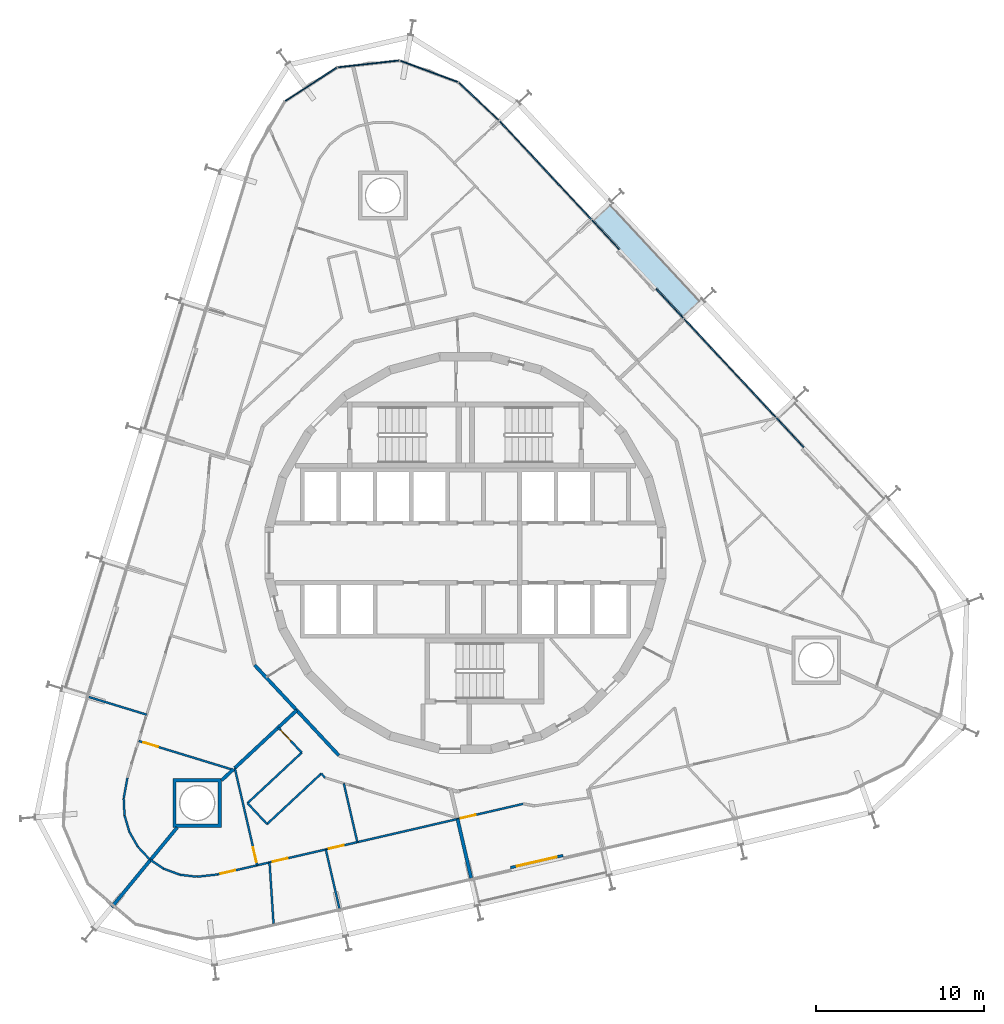
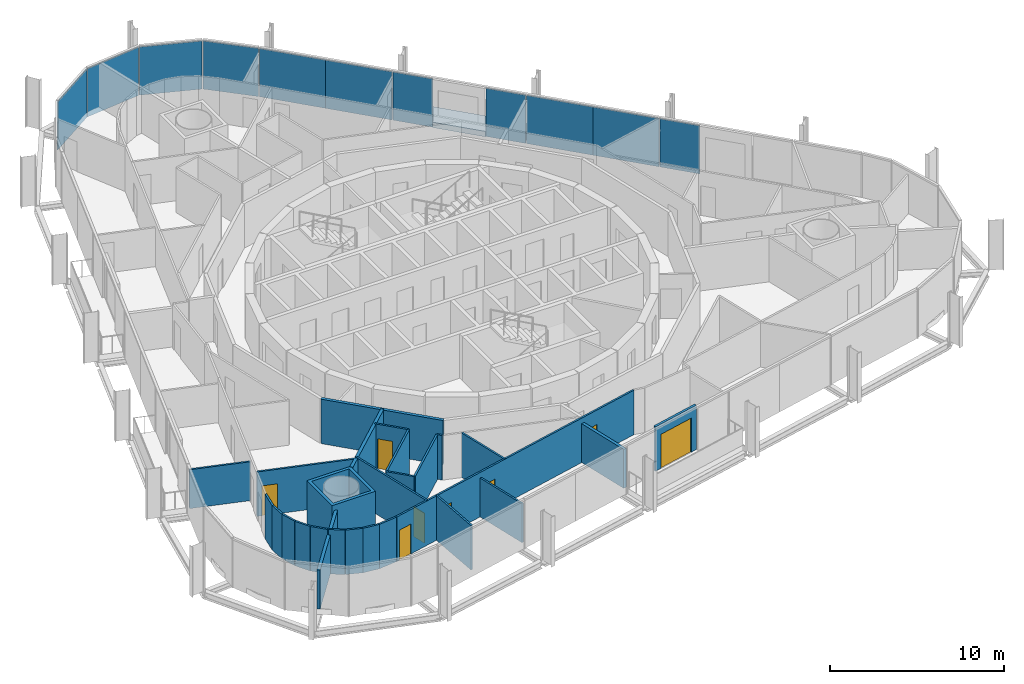
# One storey, part 11 of 18: 28 walls, 11 plates, 8 doors, 1 slab, 8 openings, 2 elements without a shape of their own.
"""IFC4 building model written with IfcOpenShell, lengths in metres."""

from ifc_helpers import new_model, si_unit, direction, frame, frame_2d, origin, origin_2d, place, context, subcontext, project, spatial, polyline, rectangle, outline, extrude, material, layer, layer_set, type_object, element, fill, aggregate, save


model = new_model("IFC4")

# Units and contexts
model_context = context("Model", 3, precision=1e-05, world=origin(), true_north=direction((0.0, 1.0)))
body_context = subcontext(model_context, "Body", "Model", "MODEL_VIEW")
ifc_project = project(units=[si_unit("LENGTHUNIT", "METRE"), si_unit("AREAUNIT", "SQUARE_METRE"), si_unit("VOLUMEUNIT", "CUBIC_METRE"), si_unit("PLANEANGLEUNIT", "RADIAN"), si_unit("MASSUNIT", "GRAM", prefix="KILO")], contexts=[model_context])

# Site, building, storey
site_placement = place(None, origin())
site = spatial("IfcSite", under=ifc_project, at=site_placement, CompositionType="ELEMENT")
building_placement = place(site_placement, origin())
building = spatial("IfcBuilding", under=site, at=building_placement, Name="Spindle Arch Residences", CompositionType="ELEMENT")
storey_placement = place(building_placement, frame((0.0, 0.0, 116.89990234375)))
storey = spatial("IfcBuildingStorey", under=building, at=storey_placement, Name="L28", CompositionType="ELEMENT", Elevation=116.89990234375)

# Slab
ifc_material_1 = material(Name="Concrete C40/50", Category="concrete")
ifc_layer_1 = layer(ifc_material_1, 0.3798828125)
ifc_layer_set_1 = layer_set([ifc_layer_1], Name="Balcony slab 380")
slab_type = type_object("IfcSlabType", Name="Balcony slab 380", PredefinedType="FLOOR", material=ifc_layer_set_1)
slab_placement = place(storey_placement, frame((0.0, 0.0, -0.3798828125)))
element("IfcSlab", 1, at=slab_placement, inside=storey, type_object=slab_type, Name="Balcony L28 bay 8", PredefinedType="FLOOR", context=body_context, shape_type="SweptSolid", body=[
    extrude(outline(polyline([(14.058837890625, 15.04248046875), (14.0078125, 15.09716796875), (13.89794921875, 14.994873046875), (8.626708984375, 20.647705078125), (8.736328125, 20.75), (8.685302734375, 20.804931640625), (7.595458984375, 19.78857421875), (9.191162109375, 18.07763671875), (9.07421875, 17.968505859375), (11.256591796875, 15.628173828125), (11.37353515625, 15.7373046875), (12.96923828125, 14.026123046875), (14.058837890625, 15.04248046875)])), origin(), (0.0, 0.0, 1.0), 0.3798828125),
])

# Curtain wall, plates
ifc_material_2 = material(Name="Aluminium bronze unitised frame with tinted glass", Category="aluminium")
ifc_layer_2 = layer(ifc_material_2, 0.159912109375)
ifc_layer_set_2 = layer_set([ifc_layer_2], Name="CW-C typical residential unitised wall")
curtain_wall_type_1 = type_object("IfcCurtainWallType", Name="CW-C typical residential unitised wall", PredefinedType="NOTDEFINED", material=ifc_layer_set_2)
curtain_wall_1_placement = place(storey_placement, origin())
curtain_wall_1 = element("IfcCurtainWall", 2, at=curtain_wall_1_placement, inside=storey, type_object=curtain_wall_type_1, Name="CW-C L28 run 2", PredefinedType="NOTDEFINED")
ifc_material_3 = material(Name="Tinted double glazing over non-combustible spandrel zone with 0.55 mm stainless steel cavity fire stop (K0)", Category="steel")
ifc_layer_3 = layer(ifc_material_3, 0.070068359375)
ifc_layer_set_3 = layer_set([ifc_layer_3], Name="Unitised glass panel with spandrel zone and stainless cavity fire stop")
plate_type = type_object("IfcPlateType", Name="Unitised glass panel with spandrel zone and stainless cavity fire stop", PredefinedType="CURTAIN_PANEL", material=ifc_layer_set_3)
plate_1_placement = place(storey_placement, frame((19.271240234375, 7.150634765625, -0.3798828125), z_axis=(0.0, 0.0, 1.0), x_axis=(-0.681998360062, 0.731353701619, 0.0)))
plate_1 = element("IfcPlate", 3, at=plate_1_placement, type_object=plate_type, Name="CW-C unit 05R", PredefinedType="CURTAIN_PANEL", context=body_context, shape_type="SweptSolid", body=[
    extrude(rectangle(XDim=2.384521484375, YDim=0.070068359375, at=origin_2d()), origin(), (0.0, 0.0, 1.0), 3.3798828125),
])
plate_2_placement = place(storey_placement, frame((17.05859375, 9.523681640625, -0.3798828125), z_axis=(0.0, 0.0, 1.0), x_axis=(-0.681998360062, 0.731353701619, 0.0)))
plate_2 = element("IfcPlate", 4, at=plate_2_placement, type_object=plate_type, Name="CW-C unit 06A", PredefinedType="CURTAIN_PANEL", context=body_context, shape_type="SweptSolid", body=[
    extrude(rectangle(XDim=3.984619140625, YDim=0.070068359375, at=origin_2d()), origin(), (0.0, 0.0, 1.0), 3.3798828125),
])
plate_3_placement = place(storey_placement, frame((14.341064453125, 12.437744140625, -0.3798828125), z_axis=(0.0, 0.0, 1.0), x_axis=(-0.681998360062, 0.731353701619, 0.0)))
plate_3 = element("IfcPlate", 5, at=plate_3_placement, type_object=plate_type, Name="CW-C unit 06B", PredefinedType="CURTAIN_PANEL", context=body_context, shape_type="SweptSolid", body=[
    extrude(rectangle(XDim=3.984619140625, YDim=0.070068359375, at=origin_2d()), origin(), (0.0, 0.0, 1.0), 3.3798828125),
])
plate_4_placement = place(storey_placement, frame((12.128173828125, 14.810791015625, -0.3798828125), z_axis=(0.0, 0.0, 1.0), x_axis=(-0.681998360062, 0.731353701619, 0.0)))
plate_4 = element("IfcPlate", 6, at=plate_4_placement, type_object=plate_type, Name="CW-C unit 07L", PredefinedType="CURTAIN_PANEL", context=body_context, shape_type="SweptSolid", body=[
    extrude(rectangle(XDim=2.384521484375, YDim=0.070068359375, at=origin_2d()), origin(), (0.0, 0.0, 1.0), 3.3798828125),
])
plate_5_placement = place(storey_placement, frame((8.319580078125, 18.89501953125, -0.3798828125), z_axis=(0.0, 0.0, 1.0), x_axis=(-0.681998360062, 0.731353701619, 0.0)))
plate_5 = element("IfcPlate", 7, at=plate_5_placement, type_object=plate_type, Name="CW-C unit 07R", PredefinedType="CURTAIN_PANEL", context=body_context, shape_type="SweptSolid", body=[
    extrude(rectangle(XDim=2.384521484375, YDim=0.070068359375, at=origin_2d()), origin(), (0.0, 0.0, 1.0), 3.3798828125),
])
plate_6_placement = place(storey_placement, frame((6.106689453125, 21.26806640625, -0.3798828125), z_axis=(0.0, 0.0, 1.0), x_axis=(-0.681998360062, 0.731353701619, 0.0)))
plate_6 = element("IfcPlate", 8, at=plate_6_placement, type_object=plate_type, Name="CW-C unit 08A", PredefinedType="CURTAIN_PANEL", context=body_context, shape_type="SweptSolid", body=[
    extrude(rectangle(XDim=3.984619140625, YDim=0.070068359375, at=origin_2d()), origin(), (0.0, 0.0, 1.0), 3.3798828125),
])
plate_7_placement = place(storey_placement, frame((3.38916015625, 24.18212890625, -0.3798828125), z_axis=(0.0, 0.0, 1.0), x_axis=(-0.681998360062, 0.731353701619, 0.0)))
plate_7 = element("IfcPlate", 9, at=plate_7_placement, type_object=plate_type, Name="CW-C unit 08B", PredefinedType="CURTAIN_PANEL", context=body_context, shape_type="SweptSolid", body=[
    extrude(rectangle(XDim=3.984619140625, YDim=0.070068359375, at=origin_2d()), origin(), (0.0, 0.0, 1.0), 3.3798828125),
])
aggregate(curtain_wall_1, [plate_1, plate_2, plate_3, plate_4, plate_5, plate_6, plate_7])

ifc_material_4 = material(Name="Aluminium bronze unitised frame with tinted glass", Category="aluminium")
ifc_layer_4 = layer(ifc_material_4, 0.159912109375)
ifc_layer_set_4 = layer_set([ifc_layer_4], Name="CW-D corner wall on the fillet arcs")
curtain_wall_type_2 = type_object("IfcCurtainWallType", Name="CW-D corner wall on the fillet arcs", PredefinedType="NOTDEFINED", material=ifc_layer_set_4)
curtain_wall_2_placement = place(storey_placement, origin())
curtain_wall_2 = element("IfcCurtainWall", 10, at=curtain_wall_2_placement, inside=storey, type_object=curtain_wall_type_2, Name="CW-D L28 run 3", PredefinedType="NOTDEFINED")
plate_8_placement = place(storey_placement, frame((0.794677734375, 26.8046875, -0.3798828125), z_axis=(0.0, 0.0, 1.0), x_axis=(-0.728270412102, 0.685289870681, 0.0)))
plate_8 = element("IfcPlate", 11, at=plate_8_placement, type_object=plate_type, Name="CW-D unit 00", PredefinedType="CURTAIN_PANEL", context=body_context, shape_type="SweptSolid", body=[
    extrude(rectangle(XDim=3.277587890625, YDim=0.070068359375, at=origin_2d()), origin(), (0.0, 0.0, 1.0), 3.3798828125),
])
plate_9_placement = place(storey_placement, frame((-2.16796875, 28.595703125, -0.3798828125), z_axis=(0.0, 0.0, 1.0), x_axis=(-0.937686936403, 0.347481235896, 0.0)))
plate_9 = element("IfcPlate", 12, at=plate_9_placement, type_object=plate_type, Name="CW-D unit 01", PredefinedType="CURTAIN_PANEL", context=body_context, shape_type="SweptSolid", body=[
    extrude(rectangle(XDim=3.666748046875, YDim=0.070068359375, at=origin_2d()), origin(), (0.0, 0.0, 1.0), 3.3798828125),
])
plate_10_placement = place(storey_placement, frame((-5.76708984375, 29.037841796875, -0.3798828125), z_axis=(0.0, 0.0, 1.0), x_axis=(-0.993896946294, -0.110312556619, 0.0)))
plate_10 = element("IfcPlate", 13, at=plate_10_placement, type_object=plate_type, Name="CW-D unit 02", PredefinedType="CURTAIN_PANEL", context=body_context, shape_type="SweptSolid", body=[
    extrude(rectangle(XDim=3.666748046875, YDim=0.070068359375, at=origin_2d()), origin(), (0.0, 0.0, 1.0), 3.3798828125),
])
plate_11_placement = place(storey_placement, frame((-9.181884765625, 27.8173828125, -0.3798828125), z_axis=(0.0, 0.0, 1.0), x_axis=(-0.838670567755, -0.544639035308, 0.0)))
plate_11 = element("IfcPlate", 14, at=plate_11_placement, type_object=plate_type, Name="CW-D unit 03", PredefinedType="CURTAIN_PANEL", context=body_context, shape_type="SweptSolid", body=[
    extrude(rectangle(XDim=3.666748046875, YDim=0.070068359375, at=origin_2d()), origin(), (0.0, 0.0, 1.0), 3.3798828125),
])
aggregate(curtain_wall_2, [plate_8, plate_9, plate_10, plate_11])

# Wall
ifc_material_5 = material(Name="Calcium silicate block, plastered")
ifc_layer_5 = layer(ifc_material_5, 0.199951171875)
ifc_layer_set_5 = layer_set([ifc_layer_5], Name="Corridor wall 200")
wall_type_1 = type_object("IfcWallType", Name="Corridor wall 200", PredefinedType="STANDARD", material=ifc_layer_set_5)
wall_1_placement = place(storey_placement, frame((-12.523193359375, -6.65869140625, 0.0), z_axis=(0.0, 0.0, 1.0), x_axis=(0.682001841105, -0.731350455479, 0.0)))
element("IfcWall", 15, at=wall_1_placement, inside=storey, type_object=wall_type_1, Name="Corridor wall R3A1-W012", PredefinedType="STANDARD", context=body_context, shape_type="SweptSolid", body=[
    extrude(rectangle(XDim=7.341796875, YDim=0.199951171875, at=frame_2d((3.6708984375, 0.0))), origin(), (0.0, 0.0, 1.0), 3.1201171875),
])

# Wall, opening, door
ifc_material_6 = material(Name="Plasterboard on steel studs", Category="steel")
ifc_layer_6 = layer(ifc_material_6, 0.1201171875)
ifc_layer_set_6 = layer_set([ifc_layer_6], Name="Flat partition 120")
wall_type_2 = type_object("IfcWallType", Name="Flat partition 120", PredefinedType="PARTITIONING", material=ifc_layer_set_6)
wall_2_placement = place(storey_placement, frame((-19.403564453125, -11.1669921875, 0.0), z_axis=(0.0, 0.0, 1.0), x_axis=(0.956314306829, -0.292340463423, 0.0)))
wall_2 = element("IfcWall", 16, at=wall_2_placement, inside=storey, type_object=wall_type_2, Name="Flat partition R3A1-W079", PredefinedType="PARTITIONING", context=body_context, shape_type="SweptSolid", body=[
    extrude(rectangle(XDim=5.85009765625, YDim=0.1201171875, at=frame_2d((2.925048828125, 0.0))), origin(), (0.0, 0.0, 1.0), 3.1201171875),
])
opening_1_placement = place(wall_2_placement, frame((0.300048828125, 0.0, 0.0)))
opening_1 = element("IfcOpeningElement", 17, at=opening_1_placement, cuts=wall_2, Name="Opening R3A1-ID20", PredefinedType="OPENING", context=body_context, shape_type="SweptSolid", body=[
    extrude(rectangle(XDim=0.89990234375, YDim=2.10009765625, at=frame_2d((0.449951171875, 1.050048828125))), frame((0.0, 0.070068359375, 0.0), z_axis=(0.0, -1.0, 0.0), x_axis=(1.0, 0.0, 0.0)), (0.0, 0.0, 1.0), 0.14013671875),
])
ifc_material_7 = material(Name="Timber door set", Category="wood")
door_type_1 = type_object("IfcDoorType", Name="Room door 900x2100", OperationType="NOTDEFINED", PredefinedType="DOOR", material=ifc_material_7)
door_1_placement = place(opening_1_placement, origin())
door_1 = element("IfcDoor", 18, at=door_1_placement, inside=storey, type_object=door_type_1, Name="Room door R3A1-ID20", OperationType="SINGLE_SWING_RIGHT", OverallHeight=2.10009765625, OverallWidth=0.89990234375, PredefinedType="DOOR", context=body_context, shape_type="SweptSolid", body=[
    extrude(rectangle(XDim=0.89990234375, YDim=2.10009765625, at=frame_2d((0.449951171875, 1.050048828125))), frame((0.0, 0.02490234375, 0.0), z_axis=(0.0, -1.0, 0.0), x_axis=(1.0, 0.0, 0.0)), (0.0, 0.0, 1.0), 0.050048828125),
])
fill(opening_1, door_1)

# Walls
for number, where, z_axis, x_axis, name in (
    (19, (-18.76220703125, -18.1904296875, 0.0), (0.0, 0.0, 1.0), (-0.682044196941, 0.731310955353, 0.0), "Flat partition R3A1-W083"),
    (20, (-19.455078125, -17.447509765625, 0.0), (0.0, 0.0, 1.0), (-0.494818454809, 0.868996373284, 0.0), "Flat partition R3A1-W084"),
    (21, (-19.957763671875, -16.564697265625, 0.0), (0.0, 0.0, 1.0), (-0.281411609627, 0.959587153919, 0.0), "Flat partition R3A1-W085"),
):
    element("IfcWall", number, at=place(storey_placement, frame(where, z_axis=z_axis, x_axis=x_axis)), inside=storey, type_object=wall_type_2, Name=name, PredefinedType="PARTITIONING", context=body_context, shape_type="SweptSolid", body=[
        extrude(rectangle(XDim=1.015869140625, YDim=0.1201171875, at=frame_2d((0.5078125, 0.0))), origin(), (0.0, 0.0, 1.0), 3.1201171875),
    ])
wall_3_placement = place(storey_placement, frame((-20.24365234375, -15.58984375, 0.0), z_axis=(0.0, 0.0, 1.0), x_axis=(-0.052142637988, 0.998639647372, 0.0)))
element("IfcWall", 22, at=wall_3_placement, inside=storey, type_object=wall_type_2, Name="Flat partition R3A1-W086", PredefinedType="PARTITIONING", context=body_context, shape_type="SweptSolid", body=[
    extrude(rectangle(XDim=1.01611328125, YDim=0.1201171875, at=frame_2d((0.508056640625, 0.0))), origin(), (0.0, 0.0, 1.0), 3.1201171875),
])
wall_4_placement = place(storey_placement, frame((-20.296630859375, -14.5751953125, 0.0), z_axis=(0.0, 0.0, 1.0), x_axis=(0.179288174895, 0.983796600087, 0.0)))
element("IfcWall", 23, at=wall_4_placement, inside=storey, type_object=wall_type_2, Name="Flat partition R3A1-W087", PredefinedType="PARTITIONING", context=body_context, shape_type="SweptSolid", body=[
    extrude(rectangle(XDim=1.226806640625, YDim=0.1201171875, at=frame_2d((0.61328125, 0.0))), origin(), (0.0, 0.0, 1.0), 3.1201171875),
])

# Wall, opening, door
wall_5_placement = place(storey_placement, frame((-11.11669921875, -10.366455078125, 0.0), z_axis=(0.0, 0.0, 1.0), x_axis=(0.682041233274, -0.731313719353, 0.0)))
wall_5 = element("IfcWall", 24, at=wall_5_placement, inside=storey, type_object=wall_type_2, Name="Flat partition R3A1-W088", PredefinedType="PARTITIONING", context=body_context, shape_type="SweptSolid", body=[
    extrude(rectangle(XDim=2.04150390625, YDim=0.1201171875, at=frame_2d((1.020751953125, 0.0))), origin(), (0.0, 0.0, 1.0), 3.1201171875),
])
opening_2_placement = place(wall_5_placement, frame((0.199951171875, 0.0, 0.0)))
opening_2 = element("IfcOpeningElement", 25, at=opening_2_placement, cuts=wall_5, Name="Opening R3A1-ID22", PredefinedType="OPENING", context=body_context, shape_type="SweptSolid", body=[
    extrude(rectangle(XDim=0.89990234375, YDim=2.10009765625, at=frame_2d((0.449951171875, 1.050048828125))), frame((0.0, 0.070068359375, 0.0), z_axis=(0.0, -1.0, 0.0), x_axis=(1.0, 0.0, 0.0)), (0.0, 0.0, 1.0), 0.14013671875),
])
door_2_placement = place(opening_2_placement, origin())
door_2 = element("IfcDoor", 26, at=door_2_placement, inside=storey, type_object=door_type_1, Name="Room door R3A1-ID22", OperationType="SINGLE_SWING_LEFT", OverallHeight=2.10009765625, OverallWidth=0.89990234375, PredefinedType="DOOR", context=body_context, shape_type="SweptSolid", body=[
    extrude(rectangle(XDim=0.89990234375, YDim=2.10009765625, at=frame_2d((0.449951171875, 1.050048828125))), frame((0.0, 0.02490234375, 0.0), z_axis=(0.0, -1.0, 0.0), x_axis=(1.0, 0.0, 0.0)), (0.0, 0.0, 1.0), 0.050048828125),
])
fill(opening_2, door_2)

# Walls
wall_6_placement = place(storey_placement, frame((-9.724365234375, -11.859375, 0.0), z_axis=(0.0, 0.0, 1.0), x_axis=(-0.731365154613, -0.681986078023, 0.0)))
element("IfcWall", 27, at=wall_6_placement, inside=storey, type_object=wall_type_2, Name="Flat partition R3A1-W089", PredefinedType="PARTITIONING", context=body_context, shape_type="SweptSolid", body=[
    extrude(rectangle(XDim=4.400390625, YDim=0.1201171875, at=frame_2d((2.2001953125, 0.0))), origin(), (0.0, 0.0, 1.0), 3.1201171875),
])
wall_7_placement = place(storey_placement, frame((-12.942626953125, -14.8603515625, 0.0), z_axis=(0.0, 0.0, 1.0), x_axis=(0.682046998737, -0.731308342297, 0.0)))
element("IfcWall", 28, at=wall_7_placement, inside=storey, type_object=wall_type_2, Name="Flat partition R3A1-W090", PredefinedType="PARTITIONING", context=body_context, shape_type="SweptSolid", body=[
    extrude(rectangle(XDim=1.699951171875, YDim=0.1201171875, at=frame_2d((0.85009765625, 0.0))), origin(), (0.0, 0.0, 1.0), 3.1201171875),
])
wall_8_placement = place(storey_placement, frame((-11.783203125, -16.103515625, 0.0), z_axis=(0.0, 0.0, 1.0), x_axis=(0.731365154613, 0.681986078023, 0.0)))
element("IfcWall", 29, at=wall_8_placement, inside=storey, type_object=wall_type_2, Name="Flat partition R3A1-W091", PredefinedType="PARTITIONING", context=body_context, shape_type="SweptSolid", body=[
    extrude(rectangle(XDim=4.400390625, YDim=0.1201171875, at=frame_2d((2.2001953125, 0.0))), origin(), (0.0, 0.0, 1.0), 3.1201171875),
])
wall_9_placement = place(storey_placement, frame((-8.56494140625, -13.1025390625, 0.0), z_axis=(0.0, 0.0, 1.0), x_axis=(0.681636048219, -0.731691395172, 0.0)))
element("IfcWall", 30, at=wall_9_placement, inside=storey, type_object=wall_type_2, Name="Flat partition R3A1-W092", PredefinedType="PARTITIONING", context=body_context, shape_type="SweptSolid", body=[
    extrude(rectangle(XDim=0.33154296875, YDim=0.1201171875, at=frame_2d((0.165771484375, 0.0))), origin(), (0.0, 0.0, 1.0), 3.1201171875),
])
wall_10_placement = place(storey_placement, frame((-18.703125, -18.22998046875, 0.0), z_axis=(0.0, 0.0, 1.0), x_axis=(0.832328473933, -0.554282699965, 0.0)))
element("IfcWall", 31, at=wall_10_placement, inside=storey, type_object=wall_type_2, Name="Flat partition R3A1-W094", PredefinedType="PARTITIONING", context=body_context, shape_type="SweptSolid", body=[
    extrude(rectangle(XDim=0.94482421875, YDim=0.1201171875, at=frame_2d((0.472412109375, 0.0))), origin(), (0.0, 0.0, 1.0), 3.1201171875),
])
wall_11_placement = place(storey_placement, frame((-17.916748046875, -18.753662109375, 0.0), z_axis=(0.0, 0.0, 1.0), x_axis=(0.937684971769, -0.347486537462, 0.0)))
element("IfcWall", 32, at=wall_11_placement, inside=storey, type_object=wall_type_2, Name="Flat partition R3A1-W095", PredefinedType="PARTITIONING", context=body_context, shape_type="SweptSolid", body=[
    extrude(rectangle(XDim=1.015869140625, YDim=0.1201171875, at=frame_2d((0.5078125, 0.0))), origin(), (0.0, 0.0, 1.0), 3.1201171875),
])
wall_12_placement = place(storey_placement, frame((-16.964111328125, -19.106689453125, 0.0), z_axis=(0.0, 0.0, 1.0), x_axis=(0.992523553766, -0.122053247474, 0.0)))
element("IfcWall", 33, at=wall_12_placement, inside=storey, type_object=wall_type_2, Name="Flat partition R3A1-W096", PredefinedType="PARTITIONING", context=body_context, shape_type="SweptSolid", body=[
    extrude(rectangle(XDim=1.01611328125, YDim=0.1201171875, at=frame_2d((0.508056640625, 0.0))), origin(), (0.0, 0.0, 1.0), 3.1201171875),
])
wall_13_placement = place(storey_placement, frame((-15.95556640625, -19.230712890625, 0.0), z_axis=(0.0, 0.0, 1.0), x_axis=(0.993883734674, 0.110431526075, 0.0)))
element("IfcWall", 34, at=wall_13_placement, inside=storey, type_object=wall_type_2, Name="Flat partition R3A1-W097", PredefinedType="PARTITIONING", context=body_context, shape_type="SweptSolid", body=[
    extrude(rectangle(XDim=1.22705078125, YDim=0.1201171875, at=frame_2d((0.613525390625, 0.0))), origin(), (0.0, 0.0, 1.0), 3.1201171875),
])

# Wall, openings, doors
wall_14_placement = place(storey_placement, frame((-14.736083984375, -19.09521484375, 0.0), z_axis=(0.0, 0.0, 1.0), x_axis=(0.974369132722, 0.224955091516, 0.0)))
wall_14 = element("IfcWall", 35, at=wall_14_placement, inside=storey, type_object=wall_type_2, Name="Flat partition R3A1-W098", PredefinedType="PARTITIONING", context=body_context, shape_type="SweptSolid", body=[
    extrude(rectangle(XDim=18.65380859375, YDim=0.1201171875, at=frame_2d((9.326904296875, 0.0))), origin(), (0.0, 0.0, 1.0), 3.1201171875),
])
opening_3_placement = place(wall_14_placement, frame((3.383056640625, 0.0, 0.0)))
opening_3 = element("IfcOpeningElement", 36, at=opening_3_placement, cuts=wall_14, Name="Opening R3A1-ID24", PredefinedType="OPENING", context=body_context, shape_type="SweptSolid", body=[
    extrude(rectangle(XDim=0.89990234375, YDim=2.10009765625, at=frame_2d((0.449951171875, 1.050048828125))), frame((0.0, 0.070068359375, 0.0), z_axis=(0.0, -1.0, 0.0), x_axis=(1.0, 0.0, 0.0)), (0.0, 0.0, 1.0), 0.14013671875),
])
opening_4_placement = place(wall_14_placement, frame((6.81005859375, 0.0, 0.0)))
opening_4 = element("IfcOpeningElement", 37, at=opening_4_placement, cuts=wall_14, Name="Opening R3A1-ID25", PredefinedType="OPENING", context=body_context, shape_type="SweptSolid", body=[
    extrude(rectangle(XDim=0.89990234375, YDim=2.10009765625, at=frame_2d((0.449951171875, 1.050048828125))), frame((0.0, 0.070068359375, 0.0), z_axis=(0.0, -1.0, 0.0), x_axis=(1.0, 0.0, 0.0)), (0.0, 0.0, 1.0), 0.14013671875),
])
opening_5_placement = place(wall_14_placement, frame((0.199951171875, 0.0, 0.0)))
opening_5 = element("IfcOpeningElement", 38, at=opening_5_placement, cuts=wall_14, Name="Opening R3A1-ID26", PredefinedType="OPENING", context=body_context, shape_type="SweptSolid", body=[
    extrude(rectangle(XDim=0.89990234375, YDim=2.10009765625, at=frame_2d((0.449951171875, 1.050048828125))), frame((0.0, 0.070068359375, 0.0), z_axis=(0.0, -1.0, 0.0), x_axis=(1.0, 0.0, 0.0)), (0.0, 0.0, 1.0), 0.14013671875),
])
opening_6_placement = place(wall_14_placement, frame((14.83935546875, 0.0, 0.0)))
opening_6 = element("IfcOpeningElement", 39, at=opening_6_placement, cuts=wall_14, Name="Opening R3A1-ID27", PredefinedType="OPENING", context=body_context, shape_type="SweptSolid", body=[
    extrude(rectangle(XDim=0.89990234375, YDim=2.10009765625, at=frame_2d((0.449951171875, 1.050048828125))), frame((0.0, 0.070068359375, 0.0), z_axis=(0.0, -1.0, 0.0), x_axis=(1.0, 0.0, 0.0)), (0.0, 0.0, 1.0), 0.14013671875),
])
door_3_placement = place(opening_3_placement, origin())
door_3 = element("IfcDoor", 40, at=door_3_placement, inside=storey, type_object=door_type_1, Name="Room door R3A1-ID24", OperationType="SINGLE_SWING_LEFT", OverallHeight=2.10009765625, OverallWidth=0.89990234375, PredefinedType="DOOR", context=body_context, shape_type="SweptSolid", body=[
    extrude(rectangle(XDim=0.89990234375, YDim=2.10009765625, at=frame_2d((0.449951171875, 1.050048828125))), frame((0.0, 0.02490234375, 0.0), z_axis=(0.0, -1.0, 0.0), x_axis=(1.0, 0.0, 0.0)), (0.0, 0.0, 1.0), 0.050048828125),
])
fill(opening_3, door_3)
door_4_placement = place(opening_4_placement, origin())
door_4 = element("IfcDoor", 41, at=door_4_placement, inside=storey, type_object=door_type_1, Name="Room door R3A1-ID25", OperationType="SINGLE_SWING_LEFT", OverallHeight=2.10009765625, OverallWidth=0.89990234375, PredefinedType="DOOR", context=body_context, shape_type="SweptSolid", body=[
    extrude(rectangle(XDim=0.89990234375, YDim=2.10009765625, at=frame_2d((0.449951171875, 1.050048828125))), frame((0.0, 0.02490234375, 0.0), z_axis=(0.0, -1.0, 0.0), x_axis=(1.0, 0.0, 0.0)), (0.0, 0.0, 1.0), 0.050048828125),
])
fill(opening_4, door_4)
door_5_placement = place(opening_5_placement, origin())
door_5 = element("IfcDoor", 42, at=door_5_placement, inside=storey, type_object=door_type_1, Name="Room door R3A1-ID26", OperationType="SINGLE_SWING_RIGHT", OverallHeight=2.10009765625, OverallWidth=0.89990234375, PredefinedType="DOOR", context=body_context, shape_type="SweptSolid", body=[
    extrude(rectangle(XDim=0.89990234375, YDim=2.10009765625, at=frame_2d((0.449951171875, 1.050048828125))), frame((0.0, 0.02490234375, 0.0), z_axis=(0.0, -1.0, 0.0), x_axis=(1.0, 0.0, 0.0)), (0.0, 0.0, 1.0), 0.050048828125),
])
fill(opening_5, door_5)
door_6_placement = place(opening_6_placement, origin())
door_6 = element("IfcDoor", 43, at=door_6_placement, inside=storey, type_object=door_type_1, Name="Room door R3A1-ID27", OperationType="SINGLE_SWING_LEFT", OverallHeight=2.10009765625, OverallWidth=0.89990234375, PredefinedType="DOOR", context=body_context, shape_type="SweptSolid", body=[
    extrude(rectangle(XDim=0.89990234375, YDim=2.10009765625, at=frame_2d((0.449951171875, 1.050048828125))), frame((0.0, 0.02490234375, 0.0), z_axis=(0.0, -1.0, 0.0), x_axis=(1.0, 0.0, 0.0)), (0.0, 0.0, 1.0), 0.050048828125),
])
fill(opening_6, door_6)

# Wall, opening, door
wall_15_placement = place(storey_placement, frame((-12.36572265625, -18.548095703125, 0.0), z_axis=(0.0, 0.0, 1.0), x_axis=(-0.224958805164, 0.974368275335, 0.0)))
wall_15 = element("IfcWall", 44, at=wall_15_placement, inside=storey, type_object=wall_type_2, Name="Flat partition R3A1-W099", PredefinedType="PARTITIONING", context=body_context, shape_type="SweptSolid", body=[
    extrude(rectangle(XDim=5.925537109375, YDim=0.1201171875, at=frame_2d((2.962890625, 0.0))), origin(), (0.0, 0.0, 1.0), 3.1201171875),
])
opening_7_placement = place(wall_15_placement, frame((0.199951171875, 0.0, 0.0)))
opening_7 = element("IfcOpeningElement", 45, at=opening_7_placement, cuts=wall_15, Name="Opening R3A1-ID23", PredefinedType="OPENING", context=body_context, shape_type="SweptSolid", body=[
    extrude(rectangle(XDim=0.89990234375, YDim=2.10009765625, at=frame_2d((0.449951171875, 1.050048828125))), frame((0.0, 0.070068359375, 0.0), z_axis=(0.0, -1.0, 0.0), x_axis=(1.0, 0.0, 0.0)), (0.0, 0.0, 1.0), 0.14013671875),
])
door_7_placement = place(opening_7_placement, origin())
door_7 = element("IfcDoor", 46, at=door_7_placement, inside=storey, type_object=door_type_1, Name="Room door R3A1-ID23", OperationType="SINGLE_SWING_LEFT", OverallHeight=2.10009765625, OverallWidth=0.89990234375, PredefinedType="DOOR", context=body_context, shape_type="SweptSolid", body=[
    extrude(rectangle(XDim=0.89990234375, YDim=2.10009765625, at=frame_2d((0.449951171875, 1.050048828125))), frame((0.0, 0.02490234375, 0.0), z_axis=(0.0, -1.0, 0.0), x_axis=(1.0, 0.0, 0.0)), (0.0, 0.0, 1.0), 0.050048828125),
])
fill(opening_7, door_7)

# Walls
wall_16_placement = place(storey_placement, frame((-11.397216796875, -22.01904296875, 0.0), z_axis=(0.0, 0.0, 1.0), x_axis=(-0.065124052048, 0.997877175731, 0.0)))
element("IfcWall", 47, at=wall_16_placement, inside=storey, type_object=wall_type_2, Name="Flat partition R3A1-W100", PredefinedType="PARTITIONING", context=body_context, shape_type="SweptSolid", body=[
    extrude(rectangle(XDim=3.647705078125, YDim=0.1201171875, at=frame_2d((1.82373046875, 0.0))), origin(), (0.0, 0.0, 1.0), 3.1201171875),
])
wall_17_placement = place(storey_placement, frame((-6.4189453125, -17.175048828125, 0.0), z_axis=(0.0, 0.0, 1.0), x_axis=(-0.224979003559, 0.974363611778, 0.0)))
element("IfcWall", 48, at=wall_17_placement, inside=storey, type_object=wall_type_2, Name="Flat partition R3A1-W101", PredefinedType="PARTITIONING", context=body_context, shape_type="SweptSolid", body=[
    extrude(rectangle(XDim=3.5810546875, YDim=0.1201171875, at=frame_2d((1.79052734375, 0.0))), origin(), (0.0, 0.0, 1.0), 3.1201171875),
])
ifc_material_8 = material(Name="Plasterboard on steel studs", Category="steel")
ifc_layer_7 = layer(ifc_material_8, 0.1201171875)
ifc_layer_set_7 = layer_set([ifc_layer_7], Name="Flat partition 120 under beam 2730")
wall_type_3 = type_object("IfcWallType", Name="Flat partition 120 under beam 2730", PredefinedType="PARTITIONING", material=ifc_layer_set_7)
wall_18_placement = place(storey_placement, frame((-22.369140625, -8.5537109375, 0.0), z_axis=(0.0, 0.0, 1.0), x_axis=(0.956306810244, -0.292364985388, 0.0)))
element("IfcWall", 49, at=wall_18_placement, inside=storey, type_object=wall_type_3, Name="Flat partition R3A1-W082", PredefinedType="PARTITIONING", context=body_context, shape_type="SweptSolid", body=[
    extrude(rectangle(XDim=3.599853515625, YDim=0.1201171875, at=frame_2d((1.7998046875, 0.0))), origin(), (0.0, 0.0, 1.0), 2.72998046875),
])
wall_19_placement = place(storey_placement, frame((-7.485595703125, -21.115966796875, 0.0), z_axis=(0.0, 0.0, 1.0), x_axis=(-0.224943703639, 0.9743717618, 0.0)))
element("IfcWall", 50, at=wall_19_placement, inside=storey, type_object=wall_type_3, Name="Flat partition R3A1-W102", PredefinedType="PARTITIONING", context=body_context, shape_type="SweptSolid", body=[
    extrude(rectangle(XDim=3.60009765625, YDim=0.1201171875, at=frame_2d((1.800048828125, 0.0))), origin(), (0.0, 0.0, 1.0), 2.72998046875),
])
ifc_material_9 = material(Name="Calcium silicate block, plastered")
ifc_layer_8 = layer(ifc_material_9, 0.199951171875)
ifc_layer_set_8 = layer_set([ifc_layer_8], Name="Flat party wall 200")
wall_type_4 = type_object("IfcWallType", Name="Flat party wall 200", PredefinedType="STANDARD", material=ifc_layer_set_8)
wall_20_placement = place(storey_placement, frame((-13.69873046875, -12.7744140625, 0.0), z_axis=(0.0, 0.0, 1.0), x_axis=(0.731353758457, 0.681998299111, 0.0)))
element("IfcWall", 51, at=wall_20_placement, inside=storey, type_object=wall_type_4, Name="Flat party wall R3A1-W025", PredefinedType="STANDARD", context=body_context, shape_type="SweptSolid", body=[
    extrude(rectangle(XDim=5.03076171875, YDim=0.199951171875, at=frame_2d((2.515380859375, 0.0))), origin(), (0.0, 0.0, 1.0), 3.1201171875),
])
wall_21_placement = place(storey_placement, frame((-14.480224609375, -13.5029296875, 0.0), z_axis=(0.0, 0.0, 1.0), x_axis=(0.73152991834, 0.681809341806, 0.0)))
element("IfcWall", 52, at=wall_21_placement, inside=storey, type_object=wall_type_4, Name="Flat party wall R3A1-W027", PredefinedType="STANDARD", context=body_context, shape_type="SweptSolid", body=[
    extrude(rectangle(XDim=0.95751953125, YDim=0.199951171875, at=frame_2d((0.478759765625, 0.0))), origin(), (0.0, 0.0, 1.0), 3.1201171875),
])
ifc_material_10 = material(Name="Calcium silicate block, plastered")
ifc_layer_9 = layer(ifc_material_10, 0.199951171875)
ifc_layer_set_9 = layer_set([ifc_layer_9], Name="Flat party wall 200 under beam 2730")
wall_type_5 = type_object("IfcWallType", Name="Flat party wall 200 under beam 2730", PredefinedType="STANDARD", material=ifc_layer_set_9)
wall_22_placement = place(storey_placement, frame((-21.0, -21.025390625, 0.0), z_axis=(0.0, 0.0, 1.0), x_axis=(0.634846795952, 0.772638043116, 0.0)))
element("IfcWall", 53, at=wall_22_placement, inside=storey, type_object=wall_type_5, Name="Flat party wall R3A1-W026", PredefinedType="STANDARD", context=body_context, shape_type="SweptSolid", body=[
    extrude(rectangle(XDim=6.109130859375, YDim=0.199951171875, at=frame_2d((3.0546875, 0.0))), origin(), (0.0, 0.0, 1.0), 2.72998046875),
])
wall_23_placement = place(storey_placement, frame((0.337890625, -19.309814453125, 0.0), z_axis=(0.0, 0.0, 1.0), x_axis=(-0.224943703639, 0.9743717618, 0.0)))
element("IfcWall", 54, at=wall_23_placement, inside=storey, type_object=wall_type_5, Name="Flat party wall R3A1-W029", PredefinedType="STANDARD", context=body_context, shape_type="SweptSolid", body=[
    extrude(rectangle(XDim=3.60009765625, YDim=0.199951171875, at=frame_2d((1.800048828125, 0.0))), origin(), (0.0, 0.0, 1.0), 2.72998046875),
])

# Wall, opening, door
ifc_material_11 = material(Name="Non-combustible mineral wool insulated aluminium faced external wall (K0)", Category="aluminium")
ifc_layer_10 = layer(ifc_material_11, 0.159912109375)
ifc_layer_set_10 = layer_set([ifc_layer_10], Name="Insulated external wall panel 160")
wall_type_6 = type_object("IfcWallType", Name="Insulated external wall panel 160", PredefinedType="STANDARD", material=ifc_layer_set_10)
wall_24_placement = place(storey_placement, frame((2.672607421875, -18.688720703125, 0.0), z_axis=(0.0, 0.0, 1.0), x_axis=(0.974360325718, 0.224993234715, 0.0)))
wall_24 = element("IfcWall", 55, at=wall_24_placement, inside=storey, type_object=wall_type_6, Name="External wall L28 bay 22", PredefinedType="STANDARD", context=body_context, shape_type="SweptSolid", body=[
    extrude(rectangle(XDim=3.199951171875, YDim=0.159912109375, at=frame_2d((1.60009765625, 0.0))), origin(), (0.0, 0.0, 1.0), 3.1201171875),
])
opening_8_placement = place(wall_24_placement, frame((0.39990234375, 0.0, 0.0)))
opening_8 = element("IfcOpeningElement", 56, at=opening_8_placement, cuts=wall_24, Name="Opening BD22", PredefinedType="OPENING", context=body_context, shape_type="SweptSolid", body=[
    extrude(rectangle(XDim=2.39990234375, YDim=2.39990234375, at=frame_2d((1.199951171875, 1.199951171875))), frame((0.0, 0.08984375, 0.0), z_axis=(0.0, -1.0, 0.0), x_axis=(1.0, 0.0, 0.0)), (0.0, 0.0, 1.0), 0.179931640625),
])
ifc_material_12 = material(Name="Bronze aluminium frame, tinted double glazing", Category="aluminium")
door_type_2 = type_object("IfcDoorType", Name="Sliding glazed balcony door 2400x2400", OperationType="DOUBLE_DOOR_SLIDING", PredefinedType="DOOR", material=ifc_material_12)
door_8_placement = place(opening_8_placement, origin())
door_8 = element("IfcDoor", 57, at=door_8_placement, inside=storey, type_object=door_type_2, Name="Balcony door BD22", OperationType="DOUBLE_DOOR_SLIDING", OverallHeight=2.39990234375, OverallWidth=2.39990234375, PredefinedType="DOOR", context=body_context, shape_type="SweptSolid", body=[
    extrude(rectangle(XDim=2.39990234375, YDim=2.39990234375, at=frame_2d((1.199951171875, 1.199951171875))), frame((0.0, 0.02490234375, 0.0), z_axis=(0.0, -1.0, 0.0), x_axis=(1.0, 0.0, 0.0)), (0.0, 0.0, 1.0), 0.050048828125),
])
fill(opening_8, door_8)

# Wall
ifc_material_13 = material(Name="Calcium silicate block, plastered")
ifc_layer_11 = layer(ifc_material_13, 0.199951171875)
ifc_layer_set_11 = layer_set([ifc_layer_11], Name="Mega-column casing wall 200")
wall_type_7 = type_object("IfcWallType", Name="Mega-column casing wall 200", PredefinedType="STANDARD", material=ifc_layer_set_11)
wall_25_placement = place(storey_placement, origin())
element("IfcWall", 58, at=wall_25_placement, inside=storey, type_object=wall_type_7, Name="Mega-column casing wall R3A1-WC02", PredefinedType="STANDARD", context=body_context, shape_type="SweptSolid", body=[
    extrude(outline(polyline([(-14.480224609375, -13.4052734375), (-14.480224609375, -16.30517578125), (-17.380126953125, -16.30517578125), (-17.380126953125, -13.4052734375), (-14.480224609375, -13.4052734375)]), holes=[polyline([(-17.18017578125, -16.105224609375), (-14.68017578125, -16.105224609375), (-14.68017578125, -13.605224609375), (-17.18017578125, -13.605224609375), (-17.18017578125, -16.105224609375)])]), origin(), (0.0, 0.0, 1.0), 3.1201171875),
])

save(model, "model.ifc")
